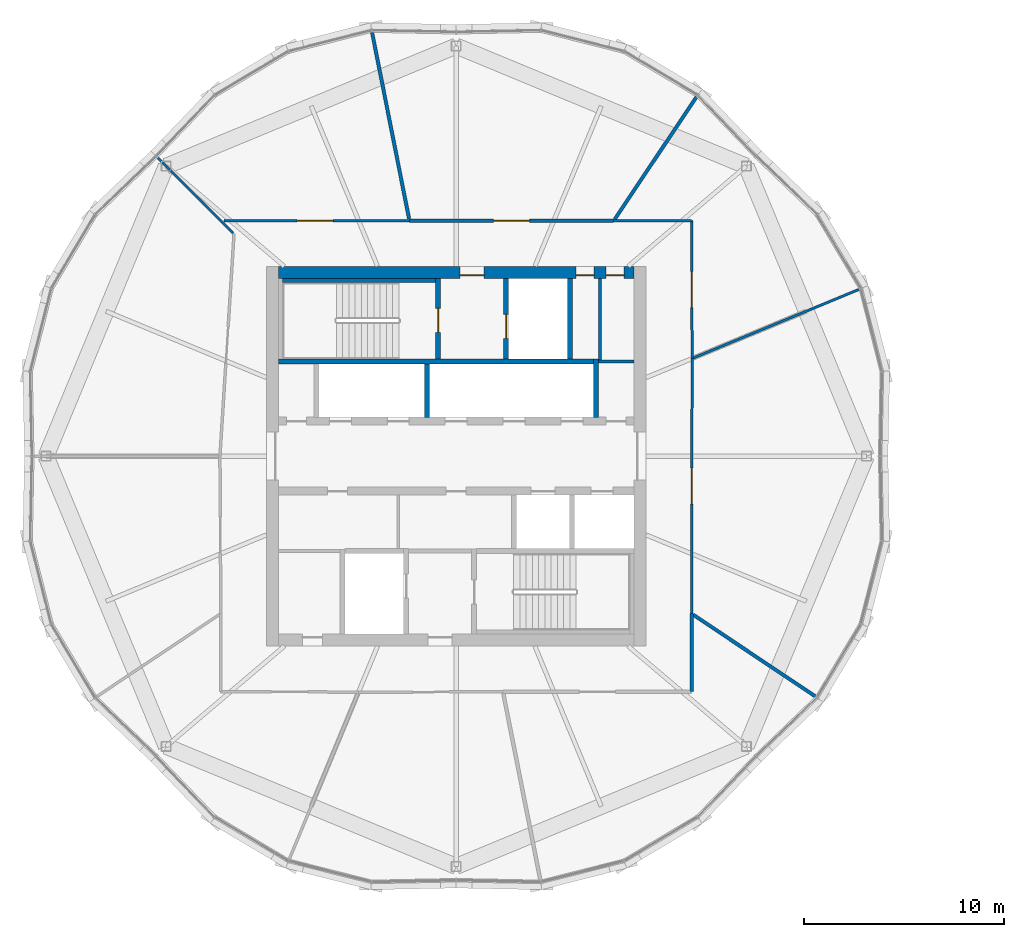
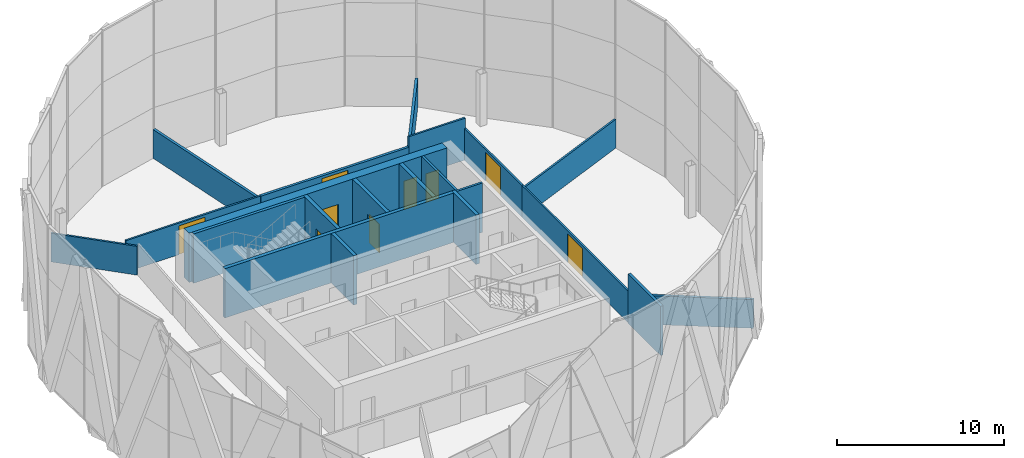
# One storey, part 20 of 25: 21 walls, 9 doors, 9 openings.
"""IFC4 building model written with IfcOpenShell, lengths in metres."""

from ifc_helpers import new_model, si_unit, direction, frame, frame_2d, origin, place, context, subcontext, project, spatial, rectangle, extrude, material, layer, layer_set, type_object, element, fill, save


model = new_model("IFC4")

# Units and contexts
model_context = context("Model", 3, precision=1e-05, world=origin(), true_north=direction((0.0, 1.0)))
body_context = subcontext(model_context, "Body", "Model", "MODEL_VIEW")
ifc_project = project(units=[si_unit("LENGTHUNIT", "METRE"), si_unit("AREAUNIT", "SQUARE_METRE"), si_unit("VOLUMEUNIT", "CUBIC_METRE"), si_unit("PLANEANGLEUNIT", "RADIAN"), si_unit("MASSUNIT", "GRAM", prefix="KILO")], contexts=[model_context])

# Site, building, storey
site_placement = place(None, origin())
site = spatial("IfcSite", under=ifc_project, at=site_placement, CompositionType="ELEMENT")
building_placement = place(site_placement, origin())
building = spatial("IfcBuilding", under=site, at=building_placement, Name="Ogive Gate Towers", CompositionType="ELEMENT")
storey_placement = place(building_placement, frame((0.0, 0.0, 196.800048828125)))
storey = spatial("IfcBuildingStorey", under=building, at=storey_placement, Name="L47", CompositionType="ELEMENT", Elevation=196.800048828125)

# Walls
ifc_material_1 = material(Name="Gypsum board acoustic partition")
ifc_layer_1 = layer(ifc_material_1, 0.175048828125)
ifc_layer_set_1 = layer_set([ifc_layer_1], Name="Acoustic partition 175")
wall_type_1 = type_object("IfcWallType", Name="Acoustic partition 175", PredefinedType="PARTITIONING", material=ifc_layer_set_1)
wall_1_placement = place(storey_placement, frame((-23.98193359375, 17.971435546875, 0.0), z_axis=(0.0, 0.0, 1.0), x_axis=(-0.555893526089, -0.831253503844, 0.0)))
element("IfcWall", 1, at=wall_1_placement, inside=storey, type_object=wall_type_1, Name="Partition T1-L47-002", PredefinedType="PARTITIONING", context=body_context, shape_type="SweptSolid", body=[
    extrude(rectangle(XDim=7.361572265625, YDim=0.175048828125, at=frame_2d((3.6806640625, 0.0))), origin(), (0.0, 0.0, 1.0), 2.099853515625),
])
wall_2_placement = place(storey_placement, frame((-40.209716796875, 21.205810546875, 0.0), z_axis=(0.0, 0.0, 1.0), x_axis=(0.194714091205, -0.980860042354, 0.0)))
element("IfcWall", 2, at=wall_2_placement, inside=storey, type_object=wall_type_1, Name="Partition T1-L47-003", PredefinedType="PARTITIONING", context=body_context, shape_type="SweptSolid", body=[
    extrude(rectangle(XDim=9.51171875, YDim=0.175048828125, at=frame_2d((4.755859375, 0.0))), origin(), (0.0, 0.0, 1.0), 2.099853515625),
])
wall_3_placement = place(storey_placement, frame((-18.028564453125, -12.01806640625, 0.0), z_axis=(0.0, 0.0, 1.0), x_axis=(-0.831253503844, 0.555893526089, 0.0)))
element("IfcWall", 3, at=wall_3_placement, inside=storey, type_object=wall_type_1, Name="Partition T1-L47-009", PredefinedType="PARTITIONING", context=body_context, shape_type="SweptSolid", body=[
    extrude(rectangle(XDim=7.361572265625, YDim=0.175048828125, at=frame_2d((3.6806640625, 0.0))), origin(), (0.0, 0.0, 1.0), 2.099853515625),
])
wall_4_placement = place(storey_placement, frame((-24.219970703125, -11.780029296875, 0.0), z_axis=(0.0, 0.0, 1.0), x_axis=(-0.000187664203, 0.999999982391, 0.0)))
element("IfcWall", 4, at=wall_4_placement, inside=storey, type_object=wall_type_1, Name="Partition T1-L47-015", PredefinedType="PARTITIONING", context=body_context, shape_type="SweptSolid", body=[
    extrude(rectangle(XDim=3.90283203125, YDim=0.175048828125, at=frame_2d((1.951416015625, 0.0))), origin(), (0.0, 0.0, 1.0), 3.599853515625),
])

# Wall, opening, door
wall_5_placement = place(storey_placement, frame((-28.122802734375, 11.779296875, 0.0), z_axis=(0.0, 0.0, 1.0), x_axis=(-0.999999395978, 0.00109911049, 0.0)))
wall_5 = element("IfcWall", 5, at=wall_5_placement, inside=storey, type_object=wall_type_1, Name="Partition T1-L47-019", PredefinedType="PARTITIONING", context=body_context, shape_type="SweptSolid", body=[
    extrude(rectangle(XDim=10.2177734375, YDim=0.175048828125, at=frame_2d((5.10888671875, 0.0))), origin(), (0.0, 0.0, 1.0), 2.300048828125),
])
opening_1_placement = place(wall_5_placement, frame((4.208984375, 0.0, 0.0)))
opening_1 = element("IfcOpeningElement", 6, at=opening_1_placement, cuts=wall_5, Name="Opening T1-L47-D07", PredefinedType="OPENING", context=body_context, shape_type="SweptSolid", body=[
    extrude(rectangle(XDim=1.800048828125, YDim=2.10009765625, at=frame_2d((0.89990234375, 1.050048828125))), frame((0.0, 0.09765625, 0.0), z_axis=(0.0, -1.0, 0.0), x_axis=(1.0, 0.0, 0.0)), (0.0, 0.0, 1.0), 0.195068359375),
])
ifc_material_2 = material(Name="Timber door", Category="wood")
door_type_1 = type_object("IfcDoorType", Name="Door pair 1800", OperationType="NOTDEFINED", PredefinedType="DOOR", material=ifc_material_2)
door_1_placement = place(opening_1_placement, origin())
door_1 = element("IfcDoor", 7, at=door_1_placement, inside=storey, type_object=door_type_1, Name="Door T1-L47-D07", OperationType="DOUBLE_DOOR_DOUBLE_SWING", OverallHeight=2.10009765625, OverallWidth=1.800048828125, PredefinedType="DOOR", context=body_context, shape_type="SweptSolid", body=[
    extrude(rectangle(XDim=1.800048828125, YDim=2.10009765625, at=frame_2d((0.89990234375, 1.050048828125))), frame((0.0, 0.02490234375, 0.0), z_axis=(0.0, -1.0, 0.0), x_axis=(1.0, 0.0, 0.0)), (0.0, 0.0, 1.0), 0.050048828125),
])
fill(opening_1, door_1)

# Wall, openings, doors
ifc_material_3 = material(Name="Concrete C60/75", Category="concrete")
ifc_layer_2 = layer(ifc_material_3, 0.60009765625)
ifc_layer_set_2 = layer_set([ifc_layer_2], Name="Core wall 600 mm")
wall_type_2 = type_object("IfcWallType", Name="Core wall 600 mm", PredefinedType="SHEAR", material=ifc_layer_set_2)
wall_6_placement = place(storey_placement, frame((-44.89990234375, 9.199951171875, 0.0), z_axis=(0.0, 0.0, 1.0), x_axis=(1.0, 0.0, 0.0)))
wall_6 = element("IfcWall", 8, at=wall_6_placement, inside=storey, type_object=wall_type_2, Name="T1 L47 Core wall 600 mm", PredefinedType="SHEAR", context=body_context, shape_type="SweptSolid", body=[
    extrude(rectangle(XDim=17.7998046875, YDim=0.60009765625, at=frame_2d((8.89990234375, 0.0))), origin(), (0.0, 0.0, 1.0), 3.599853515625),
])
opening_2_placement = place(wall_6_placement, frame((9.10009765625, 0.0, 0.0)))
opening_2 = element("IfcOpeningElement", 9, at=opening_2_placement, cuts=wall_6, Name="Opening KD-T1-L47-18", PredefinedType="OPENING", context=body_context, shape_type="SweptSolid", body=[
    extrude(rectangle(XDim=1.199951171875, YDim=2.10009765625, at=frame_2d((0.60009765625, 1.050048828125))), frame((0.0, 0.31005859375, 0.0), z_axis=(0.0, -1.0, 0.0), x_axis=(1.0, 0.0, 0.0)), (0.0, 0.0, 1.0), 0.6201171875),
])
opening_3_placement = place(wall_6_placement, frame((14.89990234375, 0.0, 0.0)))
opening_3 = element("IfcOpeningElement", 10, at=opening_3_placement, cuts=wall_6, Name="Opening KD-T1-L47-20", PredefinedType="OPENING", context=body_context, shape_type="SweptSolid", body=[
    extrude(rectangle(XDim=0.89990234375, YDim=2.10009765625, at=frame_2d((0.449951171875, 1.050048828125))), frame((0.0, 0.31005859375, 0.0), z_axis=(0.0, -1.0, 0.0), x_axis=(1.0, 0.0, 0.0)), (0.0, 0.0, 1.0), 0.6201171875),
])
opening_4_placement = place(wall_6_placement, frame((16.39990234375, 0.0, 0.0)))
opening_4 = element("IfcOpeningElement", 11, at=opening_4_placement, cuts=wall_6, Name="Opening KD-T1-L47-21", PredefinedType="OPENING", context=body_context, shape_type="SweptSolid", body=[
    extrude(rectangle(XDim=0.89990234375, YDim=2.10009765625, at=frame_2d((0.449951171875, 1.050048828125))), frame((0.0, 0.31005859375, 0.0), z_axis=(0.0, -1.0, 0.0), x_axis=(1.0, 0.0, 0.0)), (0.0, 0.0, 1.0), 0.6201171875),
])
door_type_2 = type_object("IfcDoorType", Name="Core WC door 900 x 2100", OperationType="NOTDEFINED", PredefinedType="DOOR", material=ifc_material_2)
door_2_placement = place(opening_3_placement, origin())
door_2 = element("IfcDoor", 12, at=door_2_placement, inside=storey, type_object=door_type_2, Name="T1 L47 Core door", OperationType="SINGLE_SWING_LEFT", OverallHeight=2.10009765625, OverallWidth=0.89990234375, PredefinedType="DOOR", context=body_context, shape_type="SweptSolid", body=[
    extrude(rectangle(XDim=0.89990234375, YDim=2.10009765625, at=frame_2d((0.449951171875, 1.050048828125))), frame((0.0, -0.125, 0.0), z_axis=(0.0, -1.0, 0.0), x_axis=(1.0, 0.0, 0.0)), (0.0, 0.0, 1.0), 0.050048828125),
])
fill(opening_3, door_2)
door_3_placement = place(opening_4_placement, origin())
door_3 = element("IfcDoor", 13, at=door_3_placement, inside=storey, type_object=door_type_2, Name="T1 L47 Core door", OperationType="SINGLE_SWING_RIGHT", OverallHeight=2.10009765625, OverallWidth=0.89990234375, PredefinedType="DOOR", context=body_context, shape_type="SweptSolid", body=[
    extrude(rectangle(XDim=0.89990234375, YDim=2.10009765625, at=frame_2d((0.449951171875, 1.050048828125))), frame((0.0, -0.125, 0.0), z_axis=(0.0, -1.0, 0.0), x_axis=(1.0, 0.0, 0.0)), (0.0, 0.0, 1.0), 0.050048828125),
])
fill(opening_4, door_3)
ifc_material_4 = material(Name="Steel fire door", Category="steel")
door_type_3 = type_object("IfcDoorType", Name="Core door FD60S 1200 x 2100", OperationType="NOTDEFINED", PredefinedType="DOOR", material=ifc_material_4)
door_4_placement = place(opening_2_placement, origin())
door_4 = element("IfcDoor", 14, at=door_4_placement, inside=storey, type_object=door_type_3, Name="T1 L47 Fire-fighting lobby door", OperationType="SINGLE_SWING_LEFT", OverallHeight=2.10009765625, OverallWidth=1.199951171875, PredefinedType="DOOR", context=body_context, shape_type="SweptSolid", body=[
    extrude(rectangle(XDim=1.199951171875, YDim=2.10009765625, at=frame_2d((0.60009765625, 1.050048828125))), frame((0.0, -0.125, 0.0), z_axis=(0.0, -1.0, 0.0), x_axis=(1.0, 0.0, 0.0)), (0.0, 0.0, 1.0), 0.050048828125),
])
fill(opening_2, door_4)

# Walls
ifc_material_5 = material(Name="Gypsum board partition")
ifc_layer_3 = layer(ifc_material_5, 0.125)
ifc_layer_set_3 = layer_set([ifc_layer_3], Name="Partition 125")
wall_type_3 = type_object("IfcWallType", Name="Partition 125", PredefinedType="PARTITIONING", material=ifc_layer_set_3)
wall_7_placement = place(storey_placement, frame((-15.8408203125, 8.35009765625, 0.0), z_axis=(0.0, 0.0, 1.0), x_axis=(-0.923881075236, -0.382679707877, 0.0)))
element("IfcWall", 15, at=wall_7_placement, inside=storey, type_object=wall_type_3, Name="Partition T1-L47-001", PredefinedType="PARTITIONING", context=body_context, shape_type="SweptSolid", body=[
    extrude(rectangle(XDim=8.986572265625, YDim=0.125, at=frame_2d((4.4931640625, 0.0))), origin(), (0.0, 0.0, 1.0), 2.099853515625),
])
wall_8_placement = place(storey_placement, frame((-50.933349609375, 14.933349609375, 0.0), z_axis=(0.0, 0.0, 1.0), x_axis=(0.707106781187, -0.707106781187, 0.0)))
element("IfcWall", 16, at=wall_8_placement, inside=storey, type_object=wall_type_3, Name="Partition T1-L47-004", PredefinedType="PARTITIONING", context=body_context, shape_type="SweptSolid", body=[
    extrude(rectangle(XDim=5.33642578125, YDim=0.125, at=frame_2d((2.668212890625, 0.0))), origin(), (0.0, 0.0, 1.0), 2.099853515625),
])

# Wall, opening, door
wall_9_placement = place(storey_placement, frame((-24.220703125, -7.877197265625, 0.0), z_axis=(0.0, 0.0, 1.0), x_axis=(0.001530132287, 0.999998829347, 0.0)))
wall_9 = element("IfcWall", 17, at=wall_9_placement, inside=storey, type_object=wall_type_3, Name="Partition T1-L47-016", PredefinedType="PARTITIONING", context=body_context, shape_type="SweptSolid", body=[
    extrude(rectangle(XDim=12.764404296875, YDim=0.125, at=frame_2d((6.38232421875, 0.0))), origin(), (0.0, 0.0, 1.0), 2.300048828125),
])
opening_5_placement = place(wall_9_placement, frame((5.48193359375, 0.0, 0.0)))
opening_5 = element("IfcOpeningElement", 18, at=opening_5_placement, cuts=wall_9, Name="Opening T1-L47-D05", PredefinedType="OPENING", context=body_context, shape_type="SweptSolid", body=[
    extrude(rectangle(XDim=1.800048828125, YDim=2.10009765625, at=frame_2d((0.89990234375, 1.050048828125))), frame((0.0, 0.072509765625, 0.0), z_axis=(0.0, -1.0, 0.0), x_axis=(1.0, 0.0, 0.0)), (0.0, 0.0, 1.0), 0.14501953125),
])
door_5_placement = place(opening_5_placement, origin())
door_5 = element("IfcDoor", 19, at=door_5_placement, inside=storey, type_object=door_type_1, Name="Door T1-L47-D05", OperationType="DOUBLE_DOOR_DOUBLE_SWING", OverallHeight=2.10009765625, OverallWidth=1.800048828125, PredefinedType="DOOR", context=body_context, shape_type="SweptSolid", body=[
    extrude(rectangle(XDim=1.800048828125, YDim=2.10009765625, at=frame_2d((0.89990234375, 1.050048828125))), frame((0.0, 0.02490234375, 0.0), z_axis=(0.0, -1.0, 0.0), x_axis=(1.0, 0.0, 0.0)), (0.0, 0.0, 1.0), 0.050048828125),
])
fill(opening_5, door_5)

wall_10_placement = place(storey_placement, frame((-24.201171875, 4.88720703125, 0.0), z_axis=(0.0, 0.0, 1.0), x_axis=(-0.002727294784, 0.999996280925, 0.0)))
wall_10 = element("IfcWall", 20, at=wall_10_placement, inside=storey, type_object=wall_type_3, Name="Partition T1-L47-017", PredefinedType="PARTITIONING", context=body_context, shape_type="SweptSolid", body=[
    extrude(rectangle(XDim=6.892822265625, YDim=0.125, at=frame_2d((3.4462890625, 0.0))), origin(), (0.0, 0.0, 1.0), 2.300048828125),
])
opening_6_placement = place(wall_10_placement, frame((2.5458984375, 0.0, 0.0)))
opening_6 = element("IfcOpeningElement", 21, at=opening_6_placement, cuts=wall_10, Name="Opening T1-L47-D06", PredefinedType="OPENING", context=body_context, shape_type="SweptSolid", body=[
    extrude(rectangle(XDim=1.800048828125, YDim=2.10009765625, at=frame_2d((0.89990234375, 1.050048828125))), frame((0.0, 0.072509765625, 0.0), z_axis=(0.0, -1.0, 0.0), x_axis=(1.0, 0.0, 0.0)), (0.0, 0.0, 1.0), 0.14501953125),
])
door_6_placement = place(opening_6_placement, origin())
door_6 = element("IfcDoor", 22, at=door_6_placement, inside=storey, type_object=door_type_1, Name="Door T1-L47-D06", OperationType="DOUBLE_DOOR_DOUBLE_SWING", OverallHeight=2.10009765625, OverallWidth=1.800048828125, PredefinedType="DOOR", context=body_context, shape_type="SweptSolid", body=[
    extrude(rectangle(XDim=1.800048828125, YDim=2.10009765625, at=frame_2d((0.89990234375, 1.050048828125))), frame((0.0, 0.02490234375, 0.0), z_axis=(0.0, -1.0, 0.0), x_axis=(1.0, 0.0, 0.0)), (0.0, 0.0, 1.0), 0.050048828125),
])
fill(opening_6, door_6)

# Wall
wall_11_placement = place(storey_placement, frame((-24.219970703125, 11.780029296875, 0.0), z_axis=(0.0, 0.0, 1.0), x_axis=(-0.999999982391, -0.000187664203, 0.0)))
element("IfcWall", 23, at=wall_11_placement, inside=storey, type_object=wall_type_3, Name="Partition T1-L47-018", PredefinedType="PARTITIONING", context=body_context, shape_type="SweptSolid", body=[
    extrude(rectangle(XDim=3.90283203125, YDim=0.125, at=frame_2d((1.951416015625, 0.0))), origin(), (0.0, 0.0, 1.0), 3.050048828125),
])

# Wall, opening, door
wall_12_placement = place(storey_placement, frame((-38.340576171875, 11.79052734375, 0.0), z_axis=(0.0, 0.0, 1.0), x_axis=(-0.99999938939, -0.001105087995, 0.0)))
wall_12 = element("IfcWall", 24, at=wall_12_placement, inside=storey, type_object=wall_type_3, Name="Partition T1-L47-020", PredefinedType="PARTITIONING", context=body_context, shape_type="SweptSolid", body=[
    extrude(rectangle(XDim=9.27880859375, YDim=0.125, at=frame_2d((4.639404296875, 0.0))), origin(), (0.0, 0.0, 1.0), 2.300048828125),
])
opening_7_placement = place(wall_12_placement, frame((3.820068359375, 0.0, 0.0)))
opening_7 = element("IfcOpeningElement", 25, at=opening_7_placement, cuts=wall_12, Name="Opening T1-L47-D08", PredefinedType="OPENING", context=body_context, shape_type="SweptSolid", body=[
    extrude(rectangle(XDim=1.800048828125, YDim=2.10009765625, at=frame_2d((0.89990234375, 1.050048828125))), frame((0.0, 0.072509765625, 0.0), z_axis=(0.0, -1.0, 0.0), x_axis=(1.0, 0.0, 0.0)), (0.0, 0.0, 1.0), 0.14501953125),
])
door_7_placement = place(opening_7_placement, origin())
door_7 = element("IfcDoor", 26, at=door_7_placement, inside=storey, type_object=door_type_1, Name="Door T1-L47-D08", OperationType="DOUBLE_DOOR_DOUBLE_SWING", OverallHeight=2.10009765625, OverallWidth=1.800048828125, PredefinedType="DOOR", context=body_context, shape_type="SweptSolid", body=[
    extrude(rectangle(XDim=1.800048828125, YDim=2.10009765625, at=frame_2d((0.89990234375, 1.050048828125))), frame((0.0, 0.02490234375, 0.0), z_axis=(0.0, -1.0, 0.0), x_axis=(1.0, 0.0, 0.0)), (0.0, 0.0, 1.0), 0.050048828125),
])
fill(opening_7, door_7)

# Walls
ifc_layer_4 = layer(ifc_material_5, 0.14990234375)
ifc_layer_set_4 = layer_set([ifc_layer_4], Name="Room partition 150 mm")
wall_type_4 = type_object("IfcWallType", Name="Room partition 150 mm", PredefinedType="PARTITIONING", material=ifc_layer_set_4)
wall_13_placement = place(storey_placement, frame((-28.875, 4.75, 0.0), z_axis=(0.0, 0.0, 1.0), x_axis=(1.0, 0.0, 0.0)))
element("IfcWall", 27, at=wall_13_placement, inside=storey, type_object=wall_type_4, Name="T1 L47 Room partition 150 mm", PredefinedType="PARTITIONING", context=body_context, shape_type="SweptSolid", body=[
    extrude(rectangle(XDim=1.77490234375, YDim=0.14990234375, at=frame_2d((0.887451171875, 0.0))), origin(), (0.0, 0.0, 1.0), 3.599853515625),
])
wall_14_placement = place(storey_placement, frame((-28.800048828125, 4.824951171875, 0.0), z_axis=(0.0, 0.0, 1.0), x_axis=(0.0, 1.0, 0.0)))
element("IfcWall", 28, at=wall_14_placement, inside=storey, type_object=wall_type_4, Name="T1 L47 Room partition 150 mm", PredefinedType="PARTITIONING", context=body_context, shape_type="SweptSolid", body=[
    extrude(rectangle(XDim=4.074951171875, YDim=0.14990234375, at=frame_2d((2.03759765625, 0.0))), origin(), (0.0, 0.0, 1.0), 3.599853515625),
])
ifc_layer_5 = layer(ifc_material_3, 0.25)
ifc_layer_set_5 = layer_set([ifc_layer_5], Name="Shaft wall 250 mm")
wall_type_5 = type_object("IfcWallType", Name="Shaft wall 250 mm", PredefinedType="SHEAR", material=ifc_layer_set_5)
wall_15_placement = place(storey_placement, frame((-44.89990234375, 4.75, 0.0), z_axis=(0.0, 0.0, 1.0), x_axis=(1.0, 0.0, 0.0)))
element("IfcWall", 29, at=wall_15_placement, inside=storey, type_object=wall_type_5, Name="T1 L47 Shaft wall 250 mm", PredefinedType="SHEAR", context=body_context, shape_type="SweptSolid", body=[
    extrude(rectangle(XDim=15.77490234375, YDim=0.25, at=frame_2d((7.887451171875, 0.0))), origin(), (0.0, 0.0, 1.0), 3.599853515625),
])
wall_16_placement = place(storey_placement, frame((-37.449951171875, 1.949951171875, 0.0), z_axis=(0.0, 0.0, 1.0), x_axis=(0.0, 1.0, 0.0)))
element("IfcWall", 30, at=wall_16_placement, inside=storey, type_object=wall_type_5, Name="T1 L47 Shaft wall 250 mm", PredefinedType="SHEAR", context=body_context, shape_type="SweptSolid", body=[
    extrude(rectangle(XDim=2.675048828125, YDim=0.25, at=frame_2d((1.33740234375, 0.0))), origin(), (0.0, 0.0, 1.0), 3.599853515625),
])

# Wall, opening, door
wall_17_placement = place(storey_placement, frame((-36.89990234375, 4.875, 0.0), z_axis=(0.0, 0.0, 1.0), x_axis=(0.0, 1.0, 0.0)))
wall_17 = element("IfcWall", 31, at=wall_17_placement, inside=storey, type_object=wall_type_5, Name="T1 L47 Shaft wall 250 mm", PredefinedType="SHEAR", context=body_context, shape_type="SweptSolid", body=[
    extrude(rectangle(XDim=4.02490234375, YDim=0.25, at=frame_2d((2.012451171875, 0.0))), origin(), (0.0, 0.0, 1.0), 3.599853515625),
])
opening_8_placement = place(wall_17_placement, frame((1.324951171875, 0.0, 0.0)))
opening_8 = element("IfcOpeningElement", 32, at=opening_8_placement, cuts=wall_17, Name="Opening KD-T1-L47-16", PredefinedType="OPENING", context=body_context, shape_type="SweptSolid", body=[
    extrude(rectangle(XDim=1.199951171875, YDim=2.10009765625, at=frame_2d((0.60009765625, 1.050048828125))), frame((0.0, 0.135009765625, 0.0), z_axis=(0.0, -1.0, 0.0), x_axis=(1.0, 0.0, 0.0)), (0.0, 0.0, 1.0), 0.27001953125),
])
door_8_placement = place(opening_8_placement, origin())
door_8 = element("IfcDoor", 33, at=door_8_placement, inside=storey, type_object=door_type_3, Name="T1 L47 Stair door", OperationType="SINGLE_SWING_LEFT", OverallHeight=2.10009765625, OverallWidth=1.199951171875, PredefinedType="DOOR", context=body_context, shape_type="SweptSolid", body=[
    extrude(rectangle(XDim=1.199951171875, YDim=2.10009765625, at=frame_2d((0.60009765625, 1.050048828125))), frame((0.0, 0.02490234375, 0.0), z_axis=(0.0, -1.0, 0.0), x_axis=(1.0, 0.0, 0.0)), (0.0, 0.0, 1.0), 0.050048828125),
])
fill(opening_8, door_8)

wall_18_placement = place(storey_placement, frame((-33.5, 4.875, 0.0), z_axis=(0.0, 0.0, 1.0), x_axis=(0.0, 1.0, 0.0)))
wall_18 = element("IfcWall", 34, at=wall_18_placement, inside=storey, type_object=wall_type_5, Name="T1 L47 Shaft wall 250 mm", PredefinedType="SHEAR", context=body_context, shape_type="SweptSolid", body=[
    extrude(rectangle(XDim=4.02490234375, YDim=0.25, at=frame_2d((2.012451171875, 0.0))), origin(), (0.0, 0.0, 1.0), 3.599853515625),
])
opening_9_placement = place(wall_18_placement, frame((1.02490234375, 0.0, 0.0)))
opening_9 = element("IfcOpeningElement", 35, at=opening_9_placement, cuts=wall_18, Name="Opening LD-T1-L47-12", PredefinedType="OPENING", context=body_context, shape_type="SweptSolid", body=[
    extrude(rectangle(XDim=1.199951171875, YDim=2.10009765625, at=frame_2d((0.60009765625, 1.050048828125))), frame((0.0, 0.135009765625, 0.0), z_axis=(0.0, -1.0, 0.0), x_axis=(1.0, 0.0, 0.0)), (0.0, 0.0, 1.0), 0.27001953125),
])
ifc_material_6 = material(Name="Stainless steel landing door", Category="steel")
door_type_4 = type_object("IfcDoorType", Name="Landing door 1200 x 2100", OperationType="SLIDING_TO_LEFT", PredefinedType="DOOR", material=ifc_material_6)
door_9_placement = place(opening_9_placement, origin())
door_9 = element("IfcDoor", 36, at=door_9_placement, inside=storey, type_object=door_type_4, Name="T1 L47 Lift landing door FF1", OperationType="SLIDING_TO_LEFT", OverallHeight=2.10009765625, OverallWidth=1.199951171875, PredefinedType="DOOR", context=body_context, shape_type="SweptSolid", body=[
    extrude(rectangle(XDim=1.199951171875, YDim=2.10009765625, at=frame_2d((0.60009765625, 1.050048828125))), frame((0.0, 0.02490234375, 0.0), z_axis=(0.0, -1.0, 0.0), x_axis=(1.0, 0.0, 0.0)), (0.0, 0.0, 1.0), 0.050048828125),
])
fill(opening_9, door_9)

# Walls
wall_19_placement = place(storey_placement, frame((-30.300048828125, 4.875, 0.0), z_axis=(0.0, 0.0, 1.0), x_axis=(0.0, 1.0, 0.0)))
element("IfcWall", 37, at=wall_19_placement, inside=storey, type_object=wall_type_5, Name="T1 L47 Shaft wall 250 mm", PredefinedType="SHEAR", context=body_context, shape_type="SweptSolid", body=[
    extrude(rectangle(XDim=4.02490234375, YDim=0.25, at=frame_2d((2.012451171875, 0.0))), origin(), (0.0, 0.0, 1.0), 3.599853515625),
])
wall_20_placement = place(storey_placement, frame((-29.0, 1.949951171875, 0.0), z_axis=(0.0, 0.0, 1.0), x_axis=(0.0, 1.0, 0.0)))
element("IfcWall", 38, at=wall_20_placement, inside=storey, type_object=wall_type_5, Name="T1 L47 Shaft wall 250 mm", PredefinedType="SHEAR", context=body_context, shape_type="SweptSolid", body=[
    extrude(rectangle(XDim=2.925048828125, YDim=0.25, at=frame_2d((1.46240234375, 0.0))), origin(), (0.0, 0.0, 1.0), 3.599853515625),
])
ifc_layer_6 = layer(ifc_material_3, 0.199951171875)
ifc_layer_set_6 = layer_set([ifc_layer_6], Name="Stair wall 200 mm")
wall_type_6 = type_object("IfcWallType", Name="Stair wall 200 mm", PredefinedType="SHEAR", material=ifc_layer_set_6)
wall_21_placement = place(storey_placement, frame((-44.699951171875, 8.800048828125, 0.0), z_axis=(0.0, 0.0, 1.0), x_axis=(1.0, 0.0, 0.0)))
element("IfcWall", 39, at=wall_21_placement, inside=storey, type_object=wall_type_6, Name="T1 L47 Stair wall 200 mm", PredefinedType="SHEAR", context=body_context, shape_type="SweptSolid", body=[
    extrude(rectangle(XDim=7.675048828125, YDim=0.199951171875, at=frame_2d((3.83740234375, 0.0))), origin(), (0.0, 0.0, 1.0), 3.599853515625),
])

save(model, "model.ifc")
